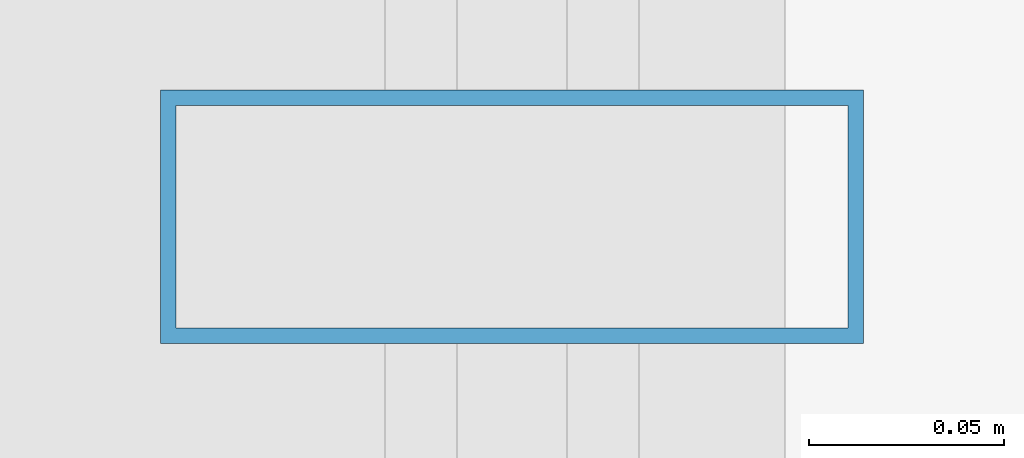
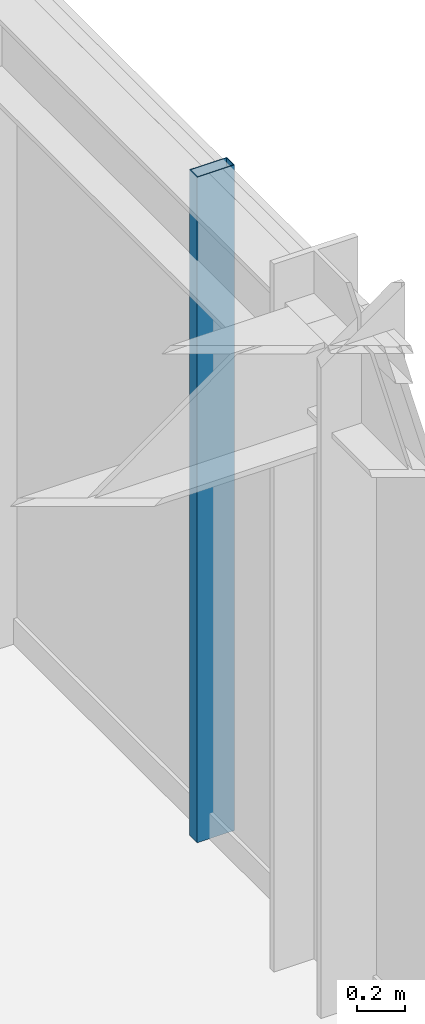
# One storey, part 14 of 32: 1 member, 1 element without a shape of its own.
"""IFC4 building model written with IfcOpenShell, lengths in metres."""

from ifc_helpers import new_model, si_unit, direction, frame, origin, origin_2d, place, context, subcontext, project, spatial, hollow_rectangle, extrude, source, transform, mapped, material, material_profile, profile_set, type_object, element, aggregate, save


model = new_model("IFC4")

# Units and contexts
model_context = context("Model", 3, precision=1e-05, world=origin(), true_north=direction((0.0, 1.0)))
body_context = subcontext(model_context, "Body", "Model", "MODEL_VIEW")
ifc_project = project(units=[si_unit("LENGTHUNIT", "METRE"), si_unit("AREAUNIT", "SQUARE_METRE"), si_unit("VOLUMEUNIT", "CUBIC_METRE"), si_unit("PLANEANGLEUNIT", "RADIAN"), si_unit("MASSUNIT", "GRAM", prefix="KILO")], contexts=[model_context])

# Site, building, storey
site_placement = place(None, origin())
site = spatial("IfcSite", under=ifc_project, at=site_placement, CompositionType="ELEMENT")
building_placement = place(site_placement, origin())
building = spatial("IfcBuilding", under=site, at=building_placement, Name="Nahalor Promenade Grand Hotel", CompositionType="ELEMENT")
storey_placement = place(building_placement, frame((0.0, 0.0, 152.64990234375)))
storey = spatial("IfcBuildingStorey", under=building, at=storey_placement, Name="L38", CompositionType="ELEMENT", Elevation=152.64990234375)

# Curtain wall, member
ifc_material = material(Name="Anodised Bronze Aluminium EN AW-6063 T6", Category="aluminium")
curtain_wall_type = type_object("IfcCurtainWallType", Name="CW2 Typical Hotel Flush Bronze Unitised Curtain Wall", PredefinedType="USERDEFINED", material=ifc_material)
curtain_wall_placement = place(storey_placement, origin())
curtain_wall = element("IfcCurtainWall", 1, at=curtain_wall_placement, inside=storey, type_object=curtain_wall_type, Name="L38 Curtain Wall CW-L38-E-1", ObjectType="UNITISED_CURTAIN_WALL", PredefinedType="USERDEFINED")
ifc_material_profile = material_profile(ifc_material, hollow_rectangle(XDim=0.065, YDim=0.18, WallThickness=0.004, at=origin_2d()), Name="CWM 65x180x4")
ifc_profile_set = profile_set([ifc_material_profile], Name="Anodised Bronze Aluminium EN AW-6063 T6")
member_type = type_object("IfcMemberType", Name="CWM2 Typical Bronze Mullion 65x180", PredefinedType="MULLION", material=ifc_profile_set)
shared_shape = source(origin(), body_context, "Body", "SweptSolid", [
    extrude(hollow_rectangle(XDim=0.065, YDim=0.18, WallThickness=0.004, at=origin_2d()), origin(), (0.0, 0.0, 1.0), 3.39013671875),
])
member_placement = place(storey_placement, frame((22.56005859375, 6.586669921875, 0.0), z_axis=(0.0, 0.0, 1.0), x_axis=(0.0, 1.0, 0.0)))
member = element("IfcMember", 2, at=member_placement, type_object=member_type, Name="CW-L38-E-1 Mullion 2", PredefinedType="MULLION", context=body_context, shape_type="MappedRepresentation", body=[
    mapped(shared_shape, transform((0.0, 0.0, 0.0), scale=1.0)),
])
aggregate(curtain_wall, [member])

save(model, "model.ifc")
